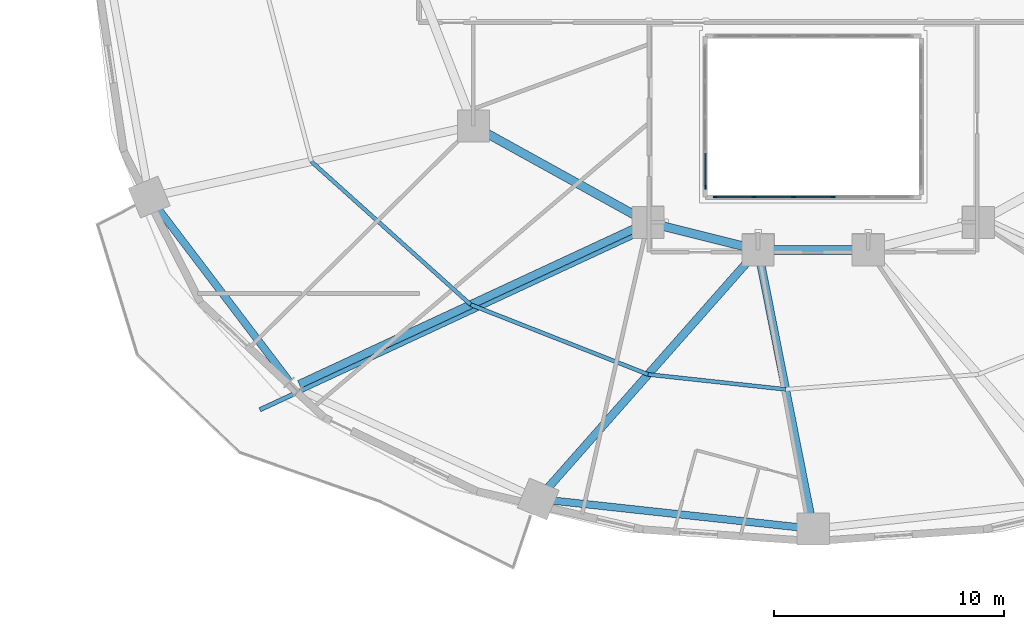
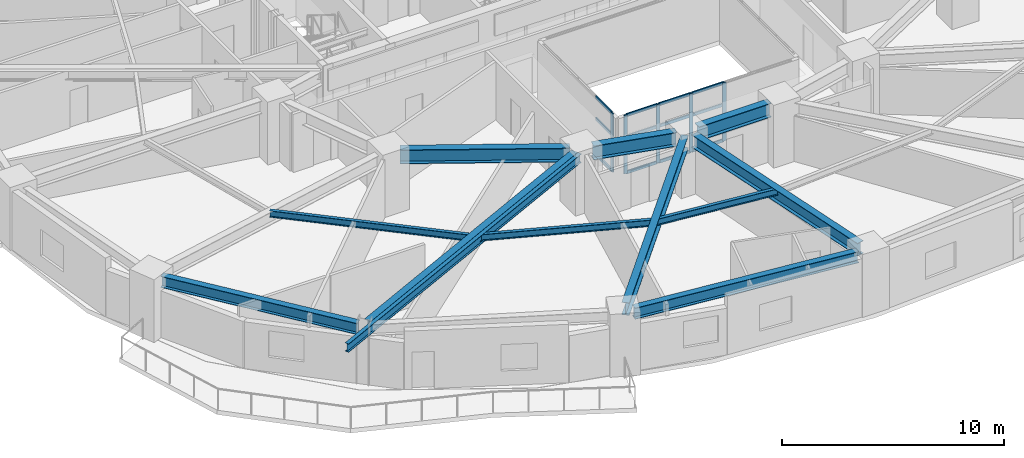
# One storey, part 3 of 17: 17 members, 12 beams, 2 elements without a shape of their own.
"""IFC4 building model written with IfcOpenShell, lengths in metres."""

from ifc_helpers import new_model, si_unit, direction, frame, origin, origin_2d, place, context, subcontext, project, spatial, rectangle, i_section, extrude, material, material_profile, profile_set, type_object, element, aggregate, save


model = new_model("IFC4")

# Units and contexts
model_context = context("Model", 3, precision=1e-05, world=origin(), true_north=direction((0.0, 1.0)))
body_context = subcontext(model_context, "Body", "Model", "MODEL_VIEW")
ifc_project = project(units=[si_unit("LENGTHUNIT", "METRE"), si_unit("AREAUNIT", "SQUARE_METRE"), si_unit("VOLUMEUNIT", "CUBIC_METRE"), si_unit("PLANEANGLEUNIT", "RADIAN"), si_unit("MASSUNIT", "GRAM", prefix="KILO")], contexts=[model_context])

# Site, building, storey
site_placement = place(None, origin())
site = spatial("IfcSite", under=ifc_project, at=site_placement, CompositionType="ELEMENT")
building_placement = place(site_placement, origin())
building = spatial("IfcBuilding", under=site, at=building_placement, Name="Haldorwick Loom Tower", CompositionType="ELEMENT")
storey_placement = place(building_placement, frame((0.0, 0.0, 55.050048828125)))
storey = spatial("IfcBuildingStorey", under=building, at=storey_placement, Name="L14", CompositionType="ELEMENT", Elevation=55.050048828125)

# Curtain wall, members
ifc_material_1 = material(Name="Thermally Broken Anodized Aluminium Curtain Wall Framing", Category="aluminium")
curtain_wall_type = type_object("IfcCurtainWallType", Name="ARC-CW-03", PredefinedType="NOTDEFINED", material=ifc_material_1)
curtain_wall_1_placement = place(storey_placement, origin())
curtain_wall_1 = element("IfcCurtainWall", 1, at=curtain_wall_1_placement, inside=storey, type_object=curtain_wall_type, Name="L14 Atrium Glazed Screen S", PredefinedType="NOTDEFINED")
ifc_material_profile_1 = material_profile(ifc_material_1, rectangle(XDim=0.06591796875, YDim=0.18505859375, at=origin_2d()), Name="ALU_MUL_66X185", Category="aluminium")
ifc_profile_set_1 = profile_set([ifc_material_profile_1], Name="Thermally Broken Anodized Aluminium Curtain Wall Framing")
member_type_1 = type_object("IfcMemberType", Name="ARC-CWM-03", PredefinedType="MULLION", material=ifc_profile_set_1)
member_1_placement = place(storey_placement, frame((36.860107421875, 16.699951171875, 0.0), z_axis=(0.0, 0.0, 1.0), x_axis=(0.0, -1.0, 0.0)))
member_1 = element("IfcMember", 2, at=member_1_placement, type_object=member_type_1, Name="CW-03 mullion 3", PredefinedType="MULLION", context=body_context, shape_type="SweptSolid", body=[
    extrude(rectangle(XDim=0.06591796875, YDim=0.18505859375, at=origin_2d()), origin(), (0.0, 0.0, 1.0), 3.2099609375),
])
member_2_placement = place(storey_placement, frame((35.139892578125, 16.699951171875, 0.0), z_axis=(0.0, 0.0, 1.0), x_axis=(0.0, -1.0, 0.0)))
member_2 = element("IfcMember", 3, at=member_2_placement, type_object=member_type_1, Name="CW-03 mullion 4", PredefinedType="MULLION", context=body_context, shape_type="SweptSolid", body=[
    extrude(rectangle(XDim=0.06591796875, YDim=0.18505859375, at=origin_2d()), origin(), (0.0, 0.0, 1.0), 3.2099609375),
])
member_3_placement = place(storey_placement, frame((33.419921875, 16.699951171875, 0.0), z_axis=(0.0, 0.0, 1.0), x_axis=(0.0, -1.0, 0.0)))
member_3 = element("IfcMember", 4, at=member_3_placement, type_object=member_type_1, Name="CW-03 mullion 5", PredefinedType="MULLION", context=body_context, shape_type="SweptSolid", body=[
    extrude(rectangle(XDim=0.06591796875, YDim=0.18505859375, at=origin_2d()), origin(), (0.0, 0.0, 1.0), 3.2099609375),
])
member_4_placement = place(storey_placement, frame((31.73291015625, 16.699951171875, 0.0), z_axis=(0.0, 0.0, 1.0), x_axis=(0.0, -1.0, 0.0)))
member_4 = element("IfcMember", 5, at=member_4_placement, type_object=member_type_1, Name="CW-03 mullion 6", PredefinedType="MULLION", context=body_context, shape_type="SweptSolid", body=[
    extrude(rectangle(XDim=0.06591796875, YDim=0.18505859375, at=origin_2d()), origin(), (0.0, 0.0, 1.0), 3.2099609375),
])

# Curtain wall, member
curtain_wall_2_placement = place(storey_placement, origin())
curtain_wall_2 = element("IfcCurtainWall", 6, at=curtain_wall_2_placement, inside=storey, type_object=curtain_wall_type, Name="L14 Atrium Glazed Screen W", PredefinedType="NOTDEFINED")
member_5_placement = place(storey_placement, frame((31.300048828125, 17.133056640625, 0.0), z_axis=(0.0, 0.0, 1.0), x_axis=(-1.0, 0.0, 0.0)))
member_5 = element("IfcMember", 7, at=member_5_placement, type_object=member_type_1, Name="CW-03 mullion 1", PredefinedType="MULLION", context=body_context, shape_type="SweptSolid", body=[
    extrude(rectangle(XDim=0.06591796875, YDim=0.18505859375, at=origin_2d()), origin(), (0.0, 0.0, 1.0), 3.2099609375),
])

# Member
ifc_material_profile_2 = material_profile(ifc_material_1, rectangle(XDim=0.06591796875, YDim=0.1650390625, at=origin_2d()), Name="ALU_TRN_66X165", Category="aluminium")
ifc_profile_set_2 = profile_set([ifc_material_profile_2], Name="Thermally Broken Anodized Aluminium Curtain Wall Framing")
member_type_2 = type_object("IfcMemberType", Name="ARC-CWT-03", PredefinedType="USERDEFINED", material=ifc_profile_set_2)
member_6_placement = place(storey_placement, frame((36.826904296875, 16.699951171875, 0.032958984375), z_axis=(-1.0, 0.0, 0.0), x_axis=(0.0, -1.0, 0.0)))
member_6 = element("IfcMember", 8, at=member_6_placement, type_object=member_type_2, Name="CW-03 transom 3.1", ObjectType="TRANSOM", PredefinedType="USERDEFINED", context=body_context, shape_type="SweptSolid", body=[
    extrude(rectangle(XDim=0.06591796875, YDim=0.1650390625, at=origin_2d()), origin(), (0.0, 0.0, 1.0), 1.65380859375),
])

member_7_placement = place(storey_placement, frame((36.826904296875, 16.699951171875, 2.0), z_axis=(-1.0, 0.0, 0.0), x_axis=(0.0, -1.0, 0.0)))
member_7 = element("IfcMember", 9, at=member_7_placement, type_object=member_type_2, Name="CW-03 transom 3.2", ObjectType="TRANSOM", PredefinedType="USERDEFINED", context=body_context, shape_type="SweptSolid", body=[
    extrude(rectangle(XDim=0.06591796875, YDim=0.1650390625, at=origin_2d()), origin(), (0.0, 0.0, 1.0), 1.65380859375),
])

member_8_placement = place(storey_placement, frame((36.826904296875, 16.699951171875, 3.177001953125), z_axis=(-1.0, 0.0, 0.0), x_axis=(0.0, -1.0, 0.0)))
member_8 = element("IfcMember", 10, at=member_8_placement, type_object=member_type_2, Name="CW-03 transom 3.3", ObjectType="TRANSOM", PredefinedType="USERDEFINED", context=body_context, shape_type="SweptSolid", body=[
    extrude(rectangle(XDim=0.06591796875, YDim=0.1650390625, at=origin_2d()), origin(), (0.0, 0.0, 1.0), 1.65380859375),
])

member_9_placement = place(storey_placement, frame((35.10693359375, 16.699951171875, 0.032958984375), z_axis=(-1.0, 0.0, 0.0), x_axis=(0.0, -1.0, 0.0)))
member_9 = element("IfcMember", 11, at=member_9_placement, type_object=member_type_2, Name="CW-03 transom 4.1", ObjectType="TRANSOM", PredefinedType="USERDEFINED", context=body_context, shape_type="SweptSolid", body=[
    extrude(rectangle(XDim=0.06591796875, YDim=0.1650390625, at=origin_2d()), origin(), (0.0, 0.0, 1.0), 1.654052734375),
])

member_10_placement = place(storey_placement, frame((35.10693359375, 16.699951171875, 2.0), z_axis=(-1.0, 0.0, 0.0), x_axis=(0.0, -1.0, 0.0)))
member_10 = element("IfcMember", 12, at=member_10_placement, type_object=member_type_2, Name="CW-03 transom 4.2", ObjectType="TRANSOM", PredefinedType="USERDEFINED", context=body_context, shape_type="SweptSolid", body=[
    extrude(rectangle(XDim=0.06591796875, YDim=0.1650390625, at=origin_2d()), origin(), (0.0, 0.0, 1.0), 1.654052734375),
])

member_11_placement = place(storey_placement, frame((35.10693359375, 16.699951171875, 3.177001953125), z_axis=(-1.0, 0.0, 0.0), x_axis=(0.0, -1.0, 0.0)))
member_11 = element("IfcMember", 13, at=member_11_placement, type_object=member_type_2, Name="CW-03 transom 4.3", ObjectType="TRANSOM", PredefinedType="USERDEFINED", context=body_context, shape_type="SweptSolid", body=[
    extrude(rectangle(XDim=0.06591796875, YDim=0.1650390625, at=origin_2d()), origin(), (0.0, 0.0, 1.0), 1.654052734375),
])

member_12_placement = place(storey_placement, frame((33.386962890625, 16.699951171875, 0.032958984375), z_axis=(-1.0, 0.0, 0.0), x_axis=(0.0, -1.0, 0.0)))
member_12 = element("IfcMember", 14, at=member_12_placement, type_object=member_type_2, Name="CW-03 transom 5.1", ObjectType="TRANSOM", PredefinedType="USERDEFINED", context=body_context, shape_type="SweptSolid", body=[
    extrude(rectangle(XDim=0.06591796875, YDim=0.1650390625, at=origin_2d()), origin(), (0.0, 0.0, 1.0), 1.620849609375),
])

member_13_placement = place(storey_placement, frame((33.386962890625, 16.699951171875, 2.0), z_axis=(-1.0, 0.0, 0.0), x_axis=(0.0, -1.0, 0.0)))
member_13 = element("IfcMember", 15, at=member_13_placement, type_object=member_type_2, Name="CW-03 transom 5.2", ObjectType="TRANSOM", PredefinedType="USERDEFINED", context=body_context, shape_type="SweptSolid", body=[
    extrude(rectangle(XDim=0.06591796875, YDim=0.1650390625, at=origin_2d()), origin(), (0.0, 0.0, 1.0), 1.620849609375),
])

member_14_placement = place(storey_placement, frame((33.386962890625, 16.699951171875, 3.177001953125), z_axis=(-1.0, 0.0, 0.0), x_axis=(0.0, -1.0, 0.0)))
member_14 = element("IfcMember", 16, at=member_14_placement, type_object=member_type_2, Name="CW-03 transom 5.3", ObjectType="TRANSOM", PredefinedType="USERDEFINED", context=body_context, shape_type="SweptSolid", body=[
    extrude(rectangle(XDim=0.06591796875, YDim=0.1650390625, at=origin_2d()), origin(), (0.0, 0.0, 1.0), 1.620849609375),
])

aggregate(curtain_wall_1, [member_1, member_2, member_3, member_4, member_6, member_7, member_8, member_9, member_10, member_11, member_12, member_13, member_14])

member_15_placement = place(storey_placement, frame((31.300048828125, 17.166015625, 0.032958984375), z_axis=(0.0, 1.0, 0.0), x_axis=(-1.0, 0.0, 0.0)))
member_15 = element("IfcMember", 17, at=member_15_placement, type_object=member_type_2, Name="CW-03 transom 1.1", ObjectType="TRANSOM", PredefinedType="USERDEFINED", context=body_context, shape_type="SweptSolid", body=[
    extrude(rectangle(XDim=0.06591796875, YDim=0.1650390625, at=origin_2d()), origin(), (0.0, 0.0, 1.0), 1.450927734375),
])

member_16_placement = place(storey_placement, frame((31.300048828125, 17.166015625, 2.0), z_axis=(0.0, 1.0, 0.0), x_axis=(-1.0, 0.0, 0.0)))
member_16 = element("IfcMember", 18, at=member_16_placement, type_object=member_type_2, Name="CW-03 transom 1.2", ObjectType="TRANSOM", PredefinedType="USERDEFINED", context=body_context, shape_type="SweptSolid", body=[
    extrude(rectangle(XDim=0.06591796875, YDim=0.1650390625, at=origin_2d()), origin(), (0.0, 0.0, 1.0), 1.450927734375),
])

member_17_placement = place(storey_placement, frame((31.300048828125, 17.166015625, 3.177001953125), z_axis=(0.0, 1.0, 0.0), x_axis=(-1.0, 0.0, 0.0)))
member_17 = element("IfcMember", 19, at=member_17_placement, type_object=member_type_2, Name="CW-03 transom 1.3", ObjectType="TRANSOM", PredefinedType="USERDEFINED", context=body_context, shape_type="SweptSolid", body=[
    extrude(rectangle(XDim=0.06591796875, YDim=0.1650390625, at=origin_2d()), origin(), (0.0, 0.0, 1.0), 1.450927734375),
])

aggregate(curtain_wall_2, [member_5, member_15, member_16, member_17])

# Beams
ifc_material_2 = material(Name="Steel CSA G40.21 350W", Category="steel")
ifc_material_profile_3 = material_profile(ifc_material_2, i_section(OverallWidth=0.193115234375, OverallDepth=0.466064453125, WebThickness=0.011474609375, FlangeThickness=0.01904296875, at=origin_2d()), Name="W460X97", Category="steel")
ifc_profile_set_3 = profile_set([ifc_material_profile_3], Name="Steel CSA G40.21 350W")
beam_type_1 = type_object("IfcBeamType", Name="STR-BM-BAL460", PredefinedType="BEAM", material=ifc_profile_set_3)
beam_1_placement = place(storey_placement, frame((28.446533203125, 15.126953125, 2.97705078125), z_axis=(-0.906840784049, -0.421473359047, 0.0), x_axis=(0.421473359047, -0.906840784049, 0.0)))
element("IfcBeam", 20, at=beam_1_placement, inside=storey, type_object=beam_type_1, Name="L14 Continuous Back-Spanned Balcony Beam 2", PredefinedType="BEAM", context=body_context, shape_type="SweptSolid", body=[
    extrude(i_section(OverallWidth=0.193115234375, OverallDepth=0.466064453125, WebThickness=0.011474609375, FlangeThickness=0.01904296875, at=origin_2d()), origin(), (0.0, 0.0, 1.0), 18.245361328125),
])
ifc_material_profile_4 = material_profile(ifc_material_2, i_section(OverallWidth=0.172119140625, OverallDepth=0.35791015625, WebThickness=0.0078125, FlangeThickness=0.01318359375, at=origin_2d()), Name="W360X57", Category="steel")
ifc_profile_set_4 = profile_set([ifc_material_profile_4], Name="Steel CSA G40.21 350W")
beam_type_2 = type_object("IfcBeamType", Name="STR-BM-J360", PredefinedType="JOIST", material=ifc_profile_set_4)
beam_2_placement = place(storey_placement, frame((14.141357421875, 18.25048828125, 3.031005859375), z_axis=(0.743981830112, -0.668199847698, 0.0), x_axis=(0.668199847698, 0.743981830112, 0.0)))
element("IfcBeam", 21, at=beam_2_placement, inside=storey, type_object=beam_type_2, Name="L14 Mid-Bay Secondary Joist 10", PredefinedType="JOIST", context=body_context, shape_type="SweptSolid", body=[
    extrude(i_section(OverallWidth=0.172119140625, OverallDepth=0.35791015625, WebThickness=0.0078125, FlangeThickness=0.01318359375, at=origin_2d()), origin(), (0.0, 0.0, 1.0), 9.3330078125),
])
beam_3_placement = place(storey_placement, frame((21.0849609375, 12.01416015625, 3.031005859375), z_axis=(0.930584838237, -0.366076301941, 0.0), x_axis=(0.366076301941, 0.930584838237, 0.0)))
element("IfcBeam", 22, at=beam_3_placement, inside=storey, type_object=beam_type_2, Name="L14 Mid-Bay Secondary Joist 11", PredefinedType="JOIST", context=body_context, shape_type="SweptSolid", body=[
    extrude(i_section(OverallWidth=0.172119140625, OverallDepth=0.35791015625, WebThickness=0.0078125, FlangeThickness=0.01318359375, at=origin_2d()), origin(), (0.0, 0.0, 1.0), 8.302490234375),
])
beam_4_placement = place(storey_placement, frame((28.81103515625, 8.974853515625, 3.031005859375), z_axis=(0.994163660215, -0.107882420753, 0.0), x_axis=(0.107882420753, 0.994163660215, 0.0)))
element("IfcBeam", 23, at=beam_4_placement, inside=storey, type_object=beam_type_2, Name="L14 Mid-Bay Secondary Joist 12", PredefinedType="JOIST", context=body_context, shape_type="SweptSolid", body=[
    extrude(i_section(OverallWidth=0.172119140625, OverallDepth=0.35791015625, WebThickness=0.0078125, FlangeThickness=0.01318359375, at=origin_2d()), origin(), (0.0, 0.0, 1.0), 6.024169921875),
])
ifc_material_profile_5 = material_profile(ifc_material_2, i_section(OverallWidth=0.324951171875, OverallDepth=0.615966796875, WebThickness=0.013916015625, FlangeThickness=0.021484375, at=origin_2d()), Name="W610X174", Category="steel")
ifc_profile_set_5 = profile_set([ifc_material_profile_5], Name="Steel CSA G40.21 350W")
beam_type_3 = type_object("IfcBeamType", Name="STR-BM-SP610", PredefinedType="SPANDREL", material=ifc_profile_set_5)
beam_5_placement = place(storey_placement, frame((7.397216796875, 16.286865234375, 2.90185546875), z_axis=(0.605084557744, -0.796161213562, 0.0), x_axis=(0.796161213562, 0.605084557744, 0.0)))
element("IfcBeam", 24, at=beam_5_placement, inside=storey, type_object=beam_type_3, Name="L14 Perimeter Spandrel 10", PredefinedType="SPANDREL", context=body_context, shape_type="SweptSolid", body=[
    extrude(i_section(OverallWidth=0.324951171875, OverallDepth=0.615966796875, WebThickness=0.013916015625, FlangeThickness=0.021484375, at=origin_2d()), origin(), (0.0, 0.0, 1.0), 9.595703125),
])
beam_6_placement = place(storey_placement, frame((24.5390625, 3.49365234375, 2.90185546875), z_axis=(0.994164438636, -0.107875247167, 0.0), x_axis=(0.107875247167, 0.994164438636, 0.0)))
element("IfcBeam", 25, at=beam_6_placement, inside=storey, type_object=beam_type_3, Name="L14 Perimeter Spandrel 12", PredefinedType="SPANDREL", context=body_context, shape_type="SweptSolid", body=[
    extrude(i_section(OverallWidth=0.324951171875, OverallDepth=0.615966796875, WebThickness=0.013916015625, FlangeThickness=0.021484375, at=origin_2d()), origin(), (0.0, 0.0, 1.0), 11.008056640625),
])
ifc_material_profile_6 = material_profile(ifc_material_2, i_section(OverallWidth=0.35498046875, OverallDepth=0.695068359375, WebThickness=0.015380859375, FlangeThickness=0.02490234375, at=origin_2d()), Name="W690X217", Category="steel")
ifc_profile_set_6 = profile_set([ifc_material_profile_6], Name="Steel CSA G40.21 350W")
beam_type_4 = type_object("IfcBeamType", Name="STR-BM-W690", PredefinedType="BEAM", material=ifc_profile_set_6)
beam_7_placement = place(storey_placement, frame((28.328369140625, 15.380859375, 2.862548828125), z_axis=(-0.90683498532, -0.421485835349, 0.0), x_axis=(0.421485835349, -0.90683498532, 0.0)))
element("IfcBeam", 26, at=beam_7_placement, inside=storey, type_object=beam_type_4, Name="L14 Radial Floor Girder 11", PredefinedType="BEAM", context=body_context, shape_type="SweptSolid", body=[
    extrude(i_section(OverallWidth=0.35498046875, OverallDepth=0.695068359375, WebThickness=0.015380859375, FlangeThickness=0.02490234375, at=origin_2d()), origin(), (0.0, 0.0, 1.0), 16.220458984375),
])
beam_8_placement = place(storey_placement, frame((33.255859375, 14.01025390625, 2.862548828125), z_axis=(-0.661774304332, -0.749703121326, 0.0), x_axis=(0.749703121326, -0.661774304332, 0.0)))
element("IfcBeam", 27, at=beam_8_placement, inside=storey, type_object=beam_type_4, Name="L14 Radial Floor Girder 12", PredefinedType="BEAM", context=body_context, shape_type="SweptSolid", body=[
    extrude(i_section(OverallWidth=0.35498046875, OverallDepth=0.695068359375, WebThickness=0.015380859375, FlangeThickness=0.02490234375, at=origin_2d()), origin(), (0.0, 0.0, 1.0), 13.43310546875),
])
beam_9_placement = place(storey_placement, frame((33.70068359375, 13.889892578125, 2.862548828125), z_axis=(0.193785651115, -0.981043893729, 0.0), x_axis=(0.981043893729, 0.193785651115, 0.0)))
element("IfcBeam", 28, at=beam_9_placement, inside=storey, type_object=beam_type_4, Name="L14 Radial Floor Girder 13", PredefinedType="BEAM", context=body_context, shape_type="SweptSolid", body=[
    extrude(i_section(OverallWidth=0.35498046875, OverallDepth=0.695068359375, WebThickness=0.015380859375, FlangeThickness=0.02490234375, at=origin_2d()), origin(), (0.0, 0.0, 1.0), 11.344970703125),
])
ifc_material_profile_7 = material_profile(ifc_material_2, i_section(OverallWidth=0.381103515625, OverallDepth=0.77294921875, WebThickness=0.0166015625, FlangeThickness=0.027587890625, at=origin_2d()), Name="W760X257", Category="steel")
ifc_profile_set_7 = profile_set([ifc_material_profile_7], Name="Steel CSA G40.21 350W")
beam_type_5 = type_object("IfcBeamType", Name="STR-BM-W760", PredefinedType="BEAM", material=ifc_profile_set_7)
beam_10_placement = place(storey_placement, frame((37.8798828125, 14.39990234375, 2.823486328125), z_axis=(-1.0, 0.0, 0.0), x_axis=(0.0, -1.0, 0.0)))
element("IfcBeam", 29, at=beam_10_placement, inside=storey, type_object=beam_type_5, Name="L14 Inner Ring Girder 5", PredefinedType="BEAM", context=body_context, shape_type="SweptSolid", body=[
    extrude(i_section(OverallWidth=0.381103515625, OverallDepth=0.77294921875, WebThickness=0.0166015625, FlangeThickness=0.027587890625, at=origin_2d()), origin(), (0.0, 0.0, 1.0), 3.759765625),
])
beam_11_placement = place(storey_placement, frame((33.095458984375, 14.526123046875, 2.823486328125), z_axis=(-0.970142500145, 0.242535625036, 0.0), x_axis=(-0.242535625036, -0.970142500145, 0.0)))
element("IfcBeam", 30, at=beam_11_placement, inside=storey, type_object=beam_type_5, Name="L14 Inner Ring Girder 6", PredefinedType="BEAM", context=body_context, shape_type="SweptSolid", body=[
    extrude(i_section(OverallWidth=0.381103515625, OverallDepth=0.77294921875, WebThickness=0.0166015625, FlangeThickness=0.027587890625, at=origin_2d()), origin(), (0.0, 0.0, 1.0), 3.90771484375),
])
beam_12_placement = place(storey_placement, frame((28.344970703125, 15.8515625, 2.823486328125), z_axis=(-0.875244382146, 0.483680960471, 0.0), x_axis=(-0.483680960471, -0.875244382146, 0.0)))
element("IfcBeam", 31, at=beam_12_placement, inside=storey, type_object=beam_type_5, Name="L14 Inner Ring Girder 7", PredefinedType="BEAM", context=body_context, shape_type="SweptSolid", body=[
    extrude(i_section(OverallWidth=0.381103515625, OverallDepth=0.77294921875, WebThickness=0.0166015625, FlangeThickness=0.027587890625, at=origin_2d()), origin(), (0.0, 0.0, 1.0), 7.6435546875),
])

save(model, "model.ifc")
